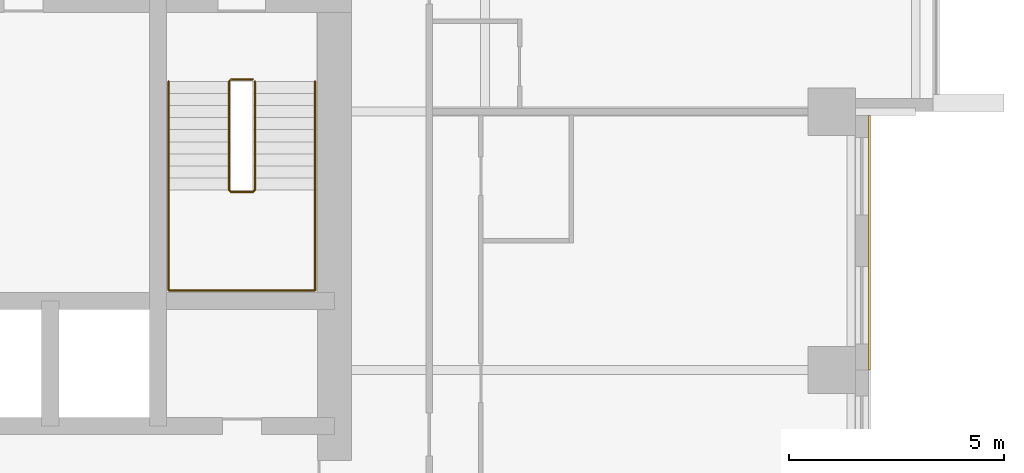
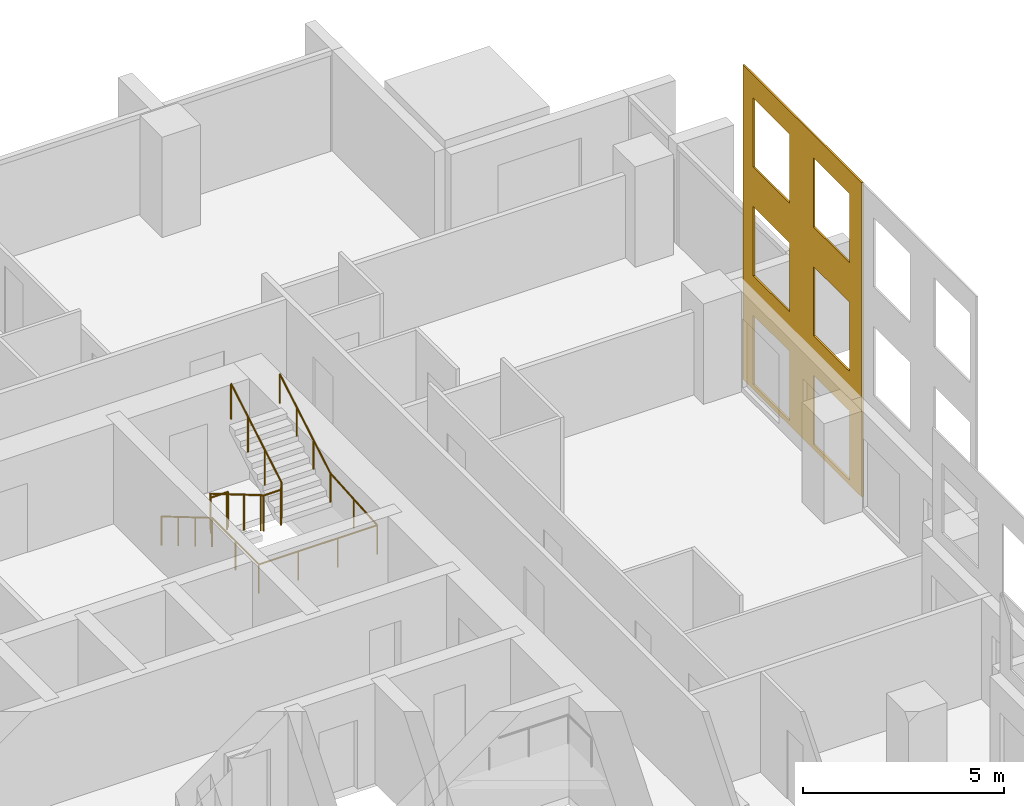
# One storey, part 10 of 11: 2 railings, 1 covering.
"""IFC4 building model written with IfcOpenShell, lengths in metres."""

from ifc_helpers import new_model, si_unit, direction, frame, origin, origin_2d, place, context, subcontext, project, spatial, polyline, circle, outline, extrude, material, layer, layer_set, type_object, element, save


model = new_model("IFC4")

# Units and contexts
model_context = context("Model", 3, precision=1e-05, world=origin(), true_north=direction((0.0, 1.0)))
body_context = subcontext(model_context, "Body", "Model", "MODEL_VIEW")
ifc_project = project(units=[si_unit("LENGTHUNIT", "METRE"), si_unit("AREAUNIT", "SQUARE_METRE"), si_unit("VOLUMEUNIT", "CUBIC_METRE"), si_unit("PLANEANGLEUNIT", "RADIAN"), si_unit("MASSUNIT", "GRAM", prefix="KILO")], contexts=[model_context])

# Site, building, storey
site_placement = place(None, origin())
site = spatial("IfcSite", under=ifc_project, at=site_placement, CompositionType="ELEMENT")
building_placement = place(site_placement, origin())
building = spatial("IfcBuilding", under=site, at=building_placement, Name="Amberfall Residences", CompositionType="ELEMENT")
storey_placement = place(building_placement, frame((0.0, 0.0, 115.0)))
storey = spatial("IfcBuildingStorey", under=building, at=storey_placement, Name="L31", CompositionType="ELEMENT", Elevation=115.0)

# Covering
ifc_material_1 = material(Name="Pale limestone cladding", Category="masonry")
ifc_layer = layer(ifc_material_1, 0.050048828125)
ifc_layer_set = layer_set([ifc_layer], Name="Limestone fascia 50")
covering_type = type_object("IfcCoveringType", Name="Limestone fascia 50", PredefinedType="CLADDING", material=ifc_layer_set)
covering_placement = place(storey_placement, frame((98.5, 48.39990234375, 9.550048828125), z_axis=(-1.0, 0.0, 0.0), x_axis=(0.0, 1.0, 0.0)))
element("IfcCovering", 1, at=covering_placement, inside=storey, type_object=covering_type, Name="Pale limestone cladding L31-L33 E", PredefinedType="CLADDING", context=body_context, shape_type="SweptSolid", body=[
    extrude(outline(polyline([(0.0, 0.0), (5.91015625, 0.0), (5.91015625, 9.550048828125), (0.0, 9.550048828125), (0.0, 0.0)]), holes=[polyline([(0.60009765625, 7.300048828125), (2.400146484375, 7.300048828125), (2.400146484375, 9.400146484375), (0.60009765625, 9.400146484375), (0.60009765625, 7.300048828125)]), polyline([(3.60009765625, 7.300048828125), (5.400146484375, 7.300048828125), (5.400146484375, 9.400146484375), (3.60009765625, 9.400146484375), (3.60009765625, 7.300048828125)]), polyline([(0.60009765625, 4.0), (2.400146484375, 4.0), (2.400146484375, 6.10009765625), (0.60009765625, 6.10009765625), (0.60009765625, 4.0)]), polyline([(3.60009765625, 4.0), (5.400146484375, 4.0), (5.400146484375, 6.10009765625), (3.60009765625, 6.10009765625), (3.60009765625, 4.0)]), polyline([(0.60009765625, 0.699951171875), (2.400146484375, 0.699951171875), (2.400146484375, 2.800048828125), (0.60009765625, 2.800048828125), (0.60009765625, 0.699951171875)]), polyline([(3.60009765625, 0.699951171875), (5.400146484375, 0.699951171875), (5.400146484375, 2.800048828125), (3.60009765625, 2.800048828125), (3.60009765625, 0.699951171875)])]), origin(), (0.0, 0.0, -1.0), 0.050048828125),
])

# Railings
ifc_material_2 = material(Name="Stainless steel 316", Category="steel")
railing_type_1 = type_object("IfcRailingType", Name="Stair guard 1100", PredefinedType="GUARDRAIL", material=ifc_material_2)
railing_1_placement = place(storey_placement, frame((84.199951171875, 55.14990234375, 0.0)))
element("IfcRailing", 2, at=railing_1_placement, inside=storey, type_object=railing_type_1, Name="L31 stair 3 guard", PredefinedType="GUARDRAIL", context=body_context, shape_type="SweptSolid", body=[
    extrude(circle(Radius=0.02392578125, at=origin_2d()), frame((0.0, 0.0, 1.076171875), z_axis=(-1.0, 0.0, 0.0), x_axis=(0.0, -1.0, 0.0)), (0.0, 0.0, 1.0), 0.5),
    extrude(circle(Radius=0.02392578125, at=origin_2d()), frame((-0.5, 0.0, 1.076171875), z_axis=(-0.278810427259, -0.277450376394, 0.919394384522), x_axis=(0.705375805398, -0.708833529934, 0.0)), (0.0, 0.0, 1.0), 0.179443359375),
    extrude(circle(Radius=0.02392578125, at=origin_2d()), frame((-0.550048828125, -0.0498046875, 1.2412109375), z_axis=(0.0, -0.861560626758, 0.507654692109), x_axis=(1.0, 0.0, 0.0)), (0.0, 0.0, 1.0), 2.925048828125),
    extrude(circle(Radius=0.02392578125, at=origin_2d()), frame((-0.550048828125, -2.56982421875, 2.72607421875), z_axis=(0.707106781187, -0.707106781187, 0.0), x_axis=(0.707106781187, 0.707106781187, 0.0)), (0.0, 0.0, 1.0), 0.07080078125),
    extrude(circle(Radius=0.02392578125, at=origin_2d()), frame((-0.5, -2.619873046875, 2.72607421875), z_axis=(1.0, 0.0, 0.0), x_axis=(0.0, 1.0, 0.0)), (0.0, 0.0, 1.0), 0.5),
    extrude(circle(Radius=0.02392578125, at=origin_2d()), frame((0.0, -2.619873046875, 2.72607421875), z_axis=(0.278705021027, 0.278705021027, 0.919046801044), x_axis=(-0.707106781187, 0.707106781187, 0.0)), (0.0, 0.0, 1.0), 0.1796875),
    extrude(circle(Radius=0.02392578125, at=origin_2d()), frame((0.050048828125, -2.56982421875, 2.89111328125), z_axis=(0.0, 0.86152411907, 0.507716645641), x_axis=(-1.0, 0.0, 0.0)), (0.0, 0.0, 1.0), 2.925048828125),
    extrude(circle(Radius=0.02099609375, at=origin_2d()), origin(), (0.0, 0.0, 1.0), 1.052001953125),
    extrude(circle(Radius=0.02099609375, at=origin_2d()), frame((-0.5, 0.0, 0.0)), (0.0, 0.0, 1.0), 1.052001953125),
    extrude(circle(Radius=0.02099609375, at=origin_2d()), frame((-0.550048828125, -0.0498046875, 0.1650390625)), (0.0, 0.0, 1.0), 1.052001953125),
    extrude(circle(Radius=0.02099609375, at=origin_2d()), frame((-0.550048828125, -0.889892578125, 0.659912109375)), (0.0, 0.0, 1.0), 1.052001953125),
    extrude(circle(Radius=0.02099609375, at=origin_2d()), frame((-0.550048828125, -1.729736328125, 1.155029296875)), (0.0, 0.0, 1.0), 1.052001953125),
    extrude(circle(Radius=0.02099609375, at=origin_2d()), frame((-0.550048828125, -2.56982421875, 1.64990234375)), (0.0, 0.0, 1.0), 1.052001953125),
    extrude(circle(Radius=0.02099609375, at=origin_2d()), frame((-0.5, -2.619873046875, 1.64990234375)), (0.0, 0.0, 1.0), 1.052001953125),
    extrude(circle(Radius=0.02099609375, at=origin_2d()), frame((0.0, -2.619873046875, 1.64990234375)), (0.0, 0.0, 1.0), 1.052001953125),
    extrude(circle(Radius=0.02099609375, at=origin_2d()), frame((0.050048828125, -2.56982421875, 1.81494140625)), (0.0, 0.0, 1.0), 1.052001953125),
    extrude(circle(Radius=0.02099609375, at=origin_2d()), frame((0.050048828125, -1.729736328125, 2.31005859375)), (0.0, 0.0, 1.0), 1.052001953125),
    extrude(circle(Radius=0.02099609375, at=origin_2d()), frame((0.050048828125, -0.889892578125, 2.804931640625)), (0.0, 0.0, 1.0), 1.052001953125),
    extrude(circle(Radius=0.02099609375, at=origin_2d()), frame((0.050048828125, -0.0498046875, 3.300048828125)), (0.0, 0.0, 1.0), 1.052001953125),
])
railing_type_2 = type_object("IfcRailingType", Name="Stair handrail 900", PredefinedType="HANDRAIL", material=ifc_material_2)
railing_2_placement = place(storey_placement, frame((82.25, 55.10009765625, 0.1650390625)))
element("IfcRailing", 3, at=railing_2_placement, inside=storey, type_object=railing_type_2, Name="L31 stair 3 handrail", PredefinedType="HANDRAIL", context=body_context, shape_type="SweptSolid", body=[
    extrude(circle(Radius=0.02392578125, at=origin_2d()), frame((0.0, 0.0, 0.8759765625), z_axis=(0.0, -0.861560626758, 0.507654692109), x_axis=(1.0, 0.0, 0.0)), (0.0, 0.0, 1.0), 2.925048828125),
    extrude(circle(Radius=0.02392578125, at=origin_2d()), frame((0.0, -2.52001953125, 2.36083984375), z_axis=(0.0, -1.0, 0.0), x_axis=(1.0, 0.0, 0.0)), (0.0, 0.0, 1.0), 2.330078125),
    extrude(circle(Radius=0.02392578125, at=origin_2d()), frame((0.0, -4.85009765625, 2.36083984375), z_axis=(1.0, 0.0, 0.0), x_axis=(0.0, 1.0, 0.0)), (0.0, 0.0, 1.0), 3.39990234375),
    extrude(circle(Radius=0.02392578125, at=origin_2d()), frame((3.39990234375, -4.85009765625, 2.36083984375), z_axis=(0.0, 0.997500965899, 0.07065283455), x_axis=(-1.0, 0.0, 0.0)), (0.0, 0.0, 1.0), 2.3359375),
    extrude(circle(Radius=0.02392578125, at=origin_2d()), frame((3.39990234375, -2.52001953125, 2.52587890625), z_axis=(0.0, 0.86152411907, 0.507716645641), x_axis=(-1.0, 0.0, 0.0)), (0.0, 0.0, 1.0), 2.925048828125),
    extrude(circle(Radius=0.02099609375, at=origin_2d()), origin(), (0.0, 0.0, 1.0), 0.851806640625),
    extrude(circle(Radius=0.02099609375, at=origin_2d()), frame((0.0, -0.840087890625, 0.494873046875)), (0.0, 0.0, 1.0), 0.851806640625),
    extrude(circle(Radius=0.02099609375, at=origin_2d()), frame((0.0, -1.679931640625, 0.989990234375)), (0.0, 0.0, 1.0), 0.851806640625),
    extrude(circle(Radius=0.02099609375, at=origin_2d()), frame((0.0, -2.52001953125, 1.48486328125)), (0.0, 0.0, 1.0), 0.851806640625),
    extrude(circle(Radius=0.02099609375, at=origin_2d()), frame((0.0, -3.68505859375, 1.48486328125)), (0.0, 0.0, 1.0), 0.851806640625),
    extrude(circle(Radius=0.02099609375, at=origin_2d()), frame((0.0, -4.85009765625, 1.48486328125)), (0.0, 0.0, 1.0), 0.851806640625),
    extrude(circle(Radius=0.02099609375, at=origin_2d()), frame((1.13330078125, -4.85009765625, 1.48486328125)), (0.0, 0.0, 1.0), 0.851806640625),
    extrude(circle(Radius=0.02099609375, at=origin_2d()), frame((2.2666015625, -4.85009765625, 1.48486328125)), (0.0, 0.0, 1.0), 0.851806640625),
    extrude(circle(Radius=0.02099609375, at=origin_2d()), frame((3.39990234375, -4.85009765625, 1.48486328125)), (0.0, 0.0, 1.0), 0.851806640625),
    extrude(circle(Radius=0.02099609375, at=origin_2d()), frame((3.39990234375, -3.68505859375, 1.5673828125)), (0.0, 0.0, 1.0), 0.851806640625),
    extrude(circle(Radius=0.02099609375, at=origin_2d()), frame((3.39990234375, -2.52001953125, 1.64990234375)), (0.0, 0.0, 1.0), 0.851806640625),
    extrude(circle(Radius=0.02099609375, at=origin_2d()), frame((3.39990234375, -1.679931640625, 2.14501953125)), (0.0, 0.0, 1.0), 0.851806640625),
    extrude(circle(Radius=0.02099609375, at=origin_2d()), frame((3.39990234375, -0.840087890625, 2.639892578125)), (0.0, 0.0, 1.0), 0.851806640625),
    extrude(circle(Radius=0.02099609375, at=origin_2d()), frame((3.39990234375, 0.0, 3.135009765625)), (0.0, 0.0, 1.0), 0.851806640625),
])

save(model, "model.ifc")
